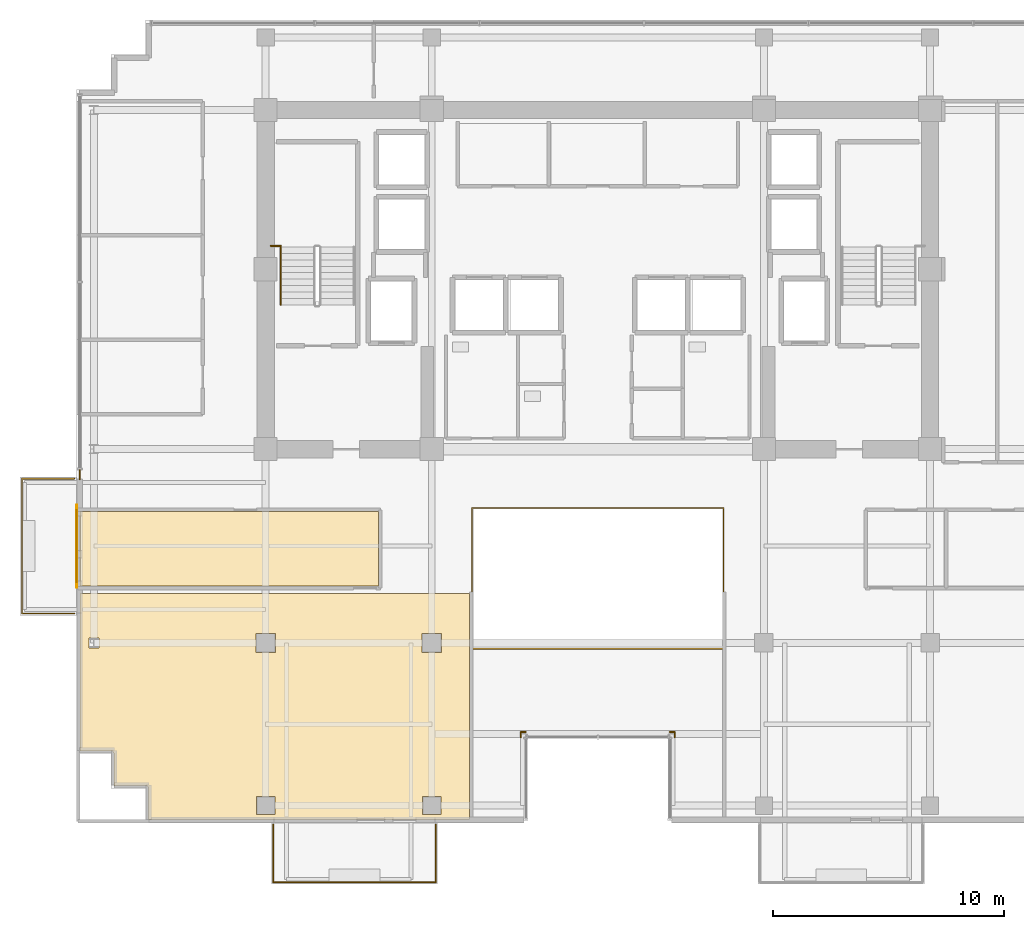
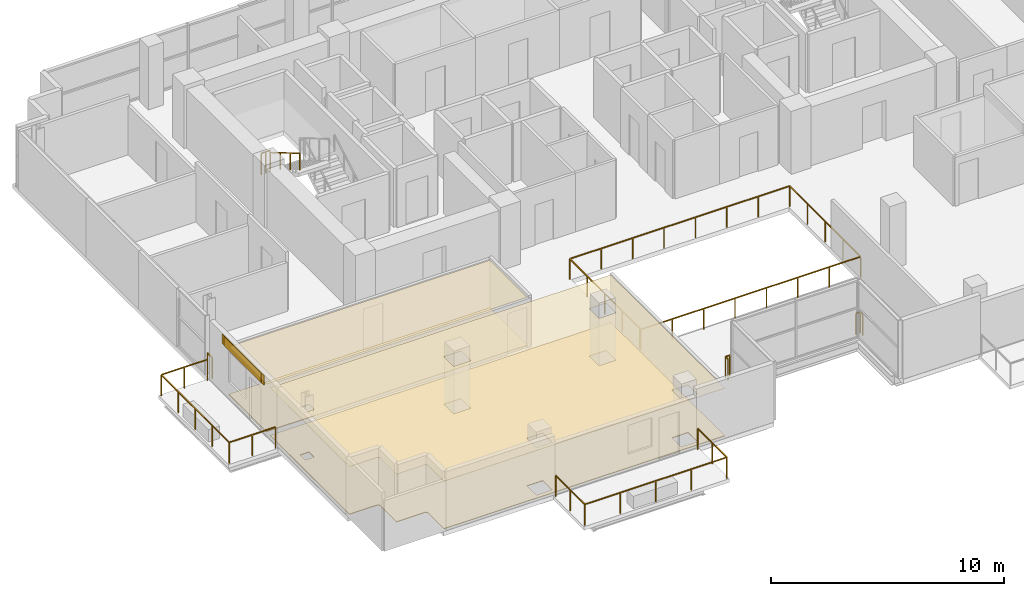
# One storey, part 19 of 22: 10 railings, 5 coverings, 1 shading device.
"""IFC4 building model written with IfcOpenShell, lengths in metres."""

from ifc_helpers import new_model, si_unit, direction, frame, origin, origin_2d, place, context, subcontext, project, spatial, polyline, rectangle, outline, extrude, source, transform, mapped, material, layer, layer_set, type_object, element, save


model = new_model("IFC4")

# Units and contexts
model_context = context("Model", 3, precision=1e-05, world=origin(), true_north=direction((0.0, 1.0)))
body_context = subcontext(model_context, "Body", "Model", "MODEL_VIEW")
ifc_project = project(units=[si_unit("LENGTHUNIT", "METRE"), si_unit("AREAUNIT", "SQUARE_METRE"), si_unit("VOLUMEUNIT", "CUBIC_METRE"), si_unit("PLANEANGLEUNIT", "RADIAN"), si_unit("MASSUNIT", "GRAM", prefix="KILO")], contexts=[model_context])

# Site, building, storey
site_placement = place(None, origin())
site = spatial("IfcSite", under=ifc_project, at=site_placement, CompositionType="ELEMENT")
building_placement = place(site_placement, origin())
building = spatial("IfcBuilding", under=site, at=building_placement, Name="Zarnakvel Exchange Tower", CompositionType="ELEMENT")
storey_placement = place(building_placement, frame((0.0, 0.0, 192.39990234375)))
storey = spatial("IfcBuildingStorey", under=building, at=storey_placement, Name="L54", CompositionType="ELEMENT", Elevation=192.39990234375)

# Coverings
ifc_material_1 = material(Name="Perforated Bronze Acoustic Metal Ceiling", Category="aluminium")
ifc_layer_1 = layer(ifc_material_1, 0.02001953125)
ifc_layer_set_1 = layer_set([ifc_layer_1], Name="Perforated Bronze Acoustic Metal Ceiling")
covering_type_1 = type_object("IfcCoveringType", Name="CLG-01", PredefinedType="CEILING", material=ifc_layer_set_1)
covering_1_placement = place(storey_placement, frame((0.0, 0.0, 2.505126953125)))
element("IfcCovering", 1, at=covering_1_placement, inside=storey, type_object=covering_type_1, Name="L54 Suspended Acoustic Ceiling (Sovereign Wealth Office)", PredefinedType="CEILING", context=body_context, shape_type="SweptSolid", body=[
    extrude(outline(polyline([(-22.449951171875, -3.909912109375), (-9.510009765625, -3.909912109375), (-9.510009765625, -7.139892578125), (-22.449951171875, -7.139892578125), (-22.449951171875, -3.909912109375)])), origin(), (0.0, 0.0, 1.0), 0.02001953125),
])
covering_2_placement = place(storey_placement, frame((0.0, 0.0, 2.505126953125)))
element("IfcCovering", 2, at=covering_2_placement, inside=storey, type_object=covering_type_1, Name="L54 Suspended Acoustic Ceiling (Sovereign Wealth Office)", PredefinedType="CEILING", context=body_context, shape_type="SweptSolid", body=[
    extrude(outline(polyline([(-5.56005859375, -7.4599609375), (-5.56005859375, -17.25), (-19.47998046875, -17.25), (-19.47998046875, -15.89990234375), (-19.48046875, -15.88818359375), (-19.482421875, -15.876708984375), (-19.485107421875, -15.865234375), (-19.489013671875, -15.85400390625), (-19.494140625, -15.843505859375), (-19.500244140625, -15.833251953125), (-19.50732421875, -15.823974609375), (-19.51513671875, -15.815185546875), (-19.52392578125, -15.80712890625), (-19.533447265625, -15.80029296875), (-19.54345703125, -15.794189453125), (-19.55419921875, -15.7890625), (-19.565185546875, -15.78515625), (-19.57666015625, -15.7822265625), (-19.588134765625, -15.780517578125), (-19.60009765625, -15.780029296875), (-20.97998046875, -15.780029296875), (-20.97998046875, -14.39990234375), (-20.98046875, -14.38818359375), (-20.982421875, -14.376708984375), (-20.985107421875, -14.365234375), (-20.989013671875, -14.35400390625), (-20.994140625, -14.343505859375), (-21.000244140625, -14.333251953125), (-21.00732421875, -14.323974609375), (-21.01513671875, -14.315185546875), (-21.02392578125, -14.30712890625), (-21.033447265625, -14.30029296875), (-21.04345703125, -14.294189453125), (-21.05419921875, -14.2890625), (-21.065185546875, -14.28515625), (-21.07666015625, -14.2822265625), (-21.088134765625, -14.280517578125), (-21.10009765625, -14.280029296875), (-22.449951171875, -14.280029296875), (-22.449951171875, -7.4599609375), (-5.56005859375, -7.4599609375)]), holes=[polyline([(-6.780029296875, -10.02001953125), (-6.780029296875, -9.179931640625), (-7.6201171875, -9.179931640625), (-7.6201171875, -10.02001953125), (-6.780029296875, -10.02001953125)]), polyline([(-6.804931640625, -17.044921875), (-6.804931640625, -16.2548828125), (-7.594970703125, -16.2548828125), (-7.594970703125, -17.044921875), (-6.804931640625, -17.044921875)]), polyline([(-13.97998046875, -10.02001953125), (-13.97998046875, -9.179931640625), (-14.820068359375, -9.179931640625), (-14.820068359375, -10.02001953125), (-13.97998046875, -10.02001953125)]), polyline([(-14.0048828125, -16.2548828125), (-14.794921875, -16.2548828125), (-14.794921875, -17.044921875), (-14.0048828125, -17.044921875), (-14.0048828125, -16.2548828125)]), polyline([(-21.630615234375, -9.81689453125), (-21.630615234375, -9.38330078125), (-22.069580078125, -9.38330078125), (-22.069580078125, -9.81689453125), (-21.630615234375, -9.81689453125)])]), origin(), (0.0, 0.0, 1.0), 0.02001953125),
])
ifc_material_2 = material(Name="Heavy-Duty Raised Access Floor Panel", Category="steel")
ifc_layer_2 = layer(ifc_material_2, 0.034912109375)
ifc_layer_set_2 = layer_set([ifc_layer_2], Name="Heavy-Duty Raised Access Floor Panel")
covering_type_2 = type_object("IfcCoveringType", Name="FLR-02", PredefinedType="FLOORING", material=ifc_layer_set_2)
covering_3_placement = place(storey_placement, origin())
element("IfcCovering", 3, at=covering_3_placement, inside=storey, type_object=covering_type_2, Name="L54 Floor Finish (Sovereign Wealth Office)", PredefinedType="FLOORING", context=body_context, shape_type="SweptSolid", body=[
    extrude(outline(polyline([(-22.449951171875, -3.909912109375), (-9.510009765625, -3.909912109375), (-9.510009765625, -7.139892578125), (-22.449951171875, -7.139892578125), (-22.449951171875, -3.909912109375)])), origin(), (0.0, 0.0, 1.0), 0.03515625),
])
covering_4_placement = place(storey_placement, origin())
element("IfcCovering", 4, at=covering_4_placement, inside=storey, type_object=covering_type_2, Name="L54 Floor Finish (Sovereign Wealth Office)", PredefinedType="FLOORING", context=body_context, shape_type="SweptSolid", body=[
    extrude(outline(polyline([(-5.56005859375, -7.4599609375), (-5.56005859375, -17.25), (-19.47998046875, -17.25), (-19.47998046875, -15.89990234375), (-19.48046875, -15.88818359375), (-19.482421875, -15.876708984375), (-19.485107421875, -15.865234375), (-19.489013671875, -15.85400390625), (-19.494140625, -15.843505859375), (-19.500244140625, -15.833251953125), (-19.50732421875, -15.823974609375), (-19.51513671875, -15.815185546875), (-19.52392578125, -15.80712890625), (-19.533447265625, -15.80029296875), (-19.54345703125, -15.794189453125), (-19.55419921875, -15.7890625), (-19.565185546875, -15.78515625), (-19.57666015625, -15.7822265625), (-19.588134765625, -15.780517578125), (-19.60009765625, -15.780029296875), (-20.97998046875, -15.780029296875), (-20.97998046875, -14.39990234375), (-20.98046875, -14.38818359375), (-20.982421875, -14.376708984375), (-20.985107421875, -14.365234375), (-20.989013671875, -14.35400390625), (-20.994140625, -14.343505859375), (-21.000244140625, -14.333251953125), (-21.00732421875, -14.323974609375), (-21.01513671875, -14.315185546875), (-21.02392578125, -14.30712890625), (-21.033447265625, -14.30029296875), (-21.04345703125, -14.294189453125), (-21.05419921875, -14.2890625), (-21.065185546875, -14.28515625), (-21.07666015625, -14.2822265625), (-21.088134765625, -14.280517578125), (-21.10009765625, -14.280029296875), (-22.449951171875, -14.280029296875), (-22.449951171875, -7.4599609375), (-5.56005859375, -7.4599609375)]), holes=[polyline([(-6.780029296875, -10.02001953125), (-6.780029296875, -9.179931640625), (-7.6201171875, -9.179931640625), (-7.6201171875, -10.02001953125), (-6.780029296875, -10.02001953125)]), polyline([(-6.804931640625, -17.044921875), (-6.804931640625, -16.2548828125), (-7.594970703125, -16.2548828125), (-7.594970703125, -17.044921875), (-6.804931640625, -17.044921875)]), polyline([(-13.97998046875, -10.02001953125), (-13.97998046875, -9.179931640625), (-14.820068359375, -9.179931640625), (-14.820068359375, -10.02001953125), (-13.97998046875, -10.02001953125)]), polyline([(-14.0048828125, -16.2548828125), (-14.794921875, -16.2548828125), (-14.794921875, -17.044921875), (-14.0048828125, -17.044921875), (-14.0048828125, -16.2548828125)]), polyline([(-21.630615234375, -9.81689453125), (-21.630615234375, -9.38330078125), (-22.069580078125, -9.38330078125), (-22.069580078125, -9.81689453125), (-21.630615234375, -9.81689453125)])]), origin(), (0.0, 0.0, 1.0), 0.03515625),
])

# Railings
ifc_material_3 = material(Name="Architectural Bronze Anodised Aluminium", Category="aluminium")
railing_type_1 = type_object("IfcRailingType", Name="GR-02", PredefinedType="GUARDRAIL", material=ifc_material_3)
railing_1_placement = place(storey_placement, frame((-14.070068359375, -17.47998046875, -0.034912109375)))
element("IfcRailing", 5, at=railing_1_placement, inside=storey, type_object=railing_type_1, Name="L54 Balcony Guardrail BAL-L54-SW", PredefinedType="GUARDRAIL", context=body_context, shape_type="SweptSolid", body=[
    extrude(rectangle(XDim=0.048095703125, YDim=0.048095703125, at=origin_2d()), frame((0.0, 0.0, 1.09619140625), z_axis=(0.0, -1.0, 0.0), x_axis=(1.0, 0.0, 0.0)), (0.0, 0.0, 1.0), 2.489990234375),
    extrude(rectangle(XDim=0.048095703125, YDim=0.048095703125, at=origin_2d()), frame((0.0, -2.489990234375, 1.09619140625), z_axis=(1.0, 0.0, 0.0), x_axis=(0.0, 1.0, 0.0)), (0.0, 0.0, 1.0), 7.0400390625),
    extrude(rectangle(XDim=0.048095703125, YDim=0.048095703125, at=origin_2d()), frame((7.0400390625, -2.489990234375, 1.09619140625), z_axis=(0.0, 1.0, 0.0), x_axis=(-1.0, 0.0, 0.0)), (0.0, 0.0, 1.0), 2.489990234375),
    extrude(rectangle(XDim=0.0419921875, YDim=0.0419921875, at=origin_2d()), origin(), (0.0, 0.0, 1.0), 1.072021484375),
    extrude(rectangle(XDim=0.0419921875, YDim=0.0419921875, at=origin_2d()), frame((0.0, -1.2451171875, 0.0)), (0.0, 0.0, 1.0), 1.072021484375),
    extrude(rectangle(XDim=0.0419921875, YDim=0.0419921875, at=origin_2d()), frame((0.0, -2.489990234375, 0.0)), (0.0, 0.0, 1.0), 1.072021484375),
    extrude(rectangle(XDim=0.0419921875, YDim=0.0419921875, at=origin_2d()), frame((1.760009765625, -2.489990234375, 0.0)), (0.0, 0.0, 1.0), 1.072021484375),
    extrude(rectangle(XDim=0.0419921875, YDim=0.0419921875, at=origin_2d()), frame((3.52001953125, -2.489990234375, 0.0)), (0.0, 0.0, 1.0), 1.072021484375),
    extrude(rectangle(XDim=0.0419921875, YDim=0.0419921875, at=origin_2d()), frame((5.280029296875, -2.489990234375, 0.0)), (0.0, 0.0, 1.0), 1.072021484375),
    extrude(rectangle(XDim=0.0419921875, YDim=0.0419921875, at=origin_2d()), frame((7.0400390625, -2.489990234375, 0.0)), (0.0, 0.0, 1.0), 1.072021484375),
    extrude(rectangle(XDim=0.0419921875, YDim=0.0419921875, at=origin_2d()), frame((7.0400390625, -1.2451171875, 0.0)), (0.0, 0.0, 1.0), 1.072021484375),
    extrude(rectangle(XDim=0.0419921875, YDim=0.0419921875, at=origin_2d()), frame((7.0400390625, 0.0, 0.0)), (0.0, 0.0, 1.0), 1.072021484375),
])
railing_2_placement = place(storey_placement, frame((-22.679931640625, -8.320068359375, -0.034912109375)))
element("IfcRailing", 6, at=railing_2_placement, inside=storey, type_object=railing_type_1, Name="L54 Balcony Guardrail BAL-L54-W", PredefinedType="GUARDRAIL", context=body_context, shape_type="SweptSolid", body=[
    extrude(rectangle(XDim=0.048095703125, YDim=0.048095703125, at=origin_2d()), frame((0.0, 0.0, 1.09619140625), z_axis=(-1.0, 0.0, 0.0), x_axis=(0.0, -1.0, 0.0)), (0.0, 0.0, 1.0), 2.2900390625),
    extrude(rectangle(XDim=0.048095703125, YDim=0.048095703125, at=origin_2d()), frame((-2.2900390625, 0.0, 1.09619140625), z_axis=(0.0, 1.0, 0.0), x_axis=(-1.0, 0.0, 0.0)), (0.0, 0.0, 1.0), 5.840087890625),
    extrude(rectangle(XDim=0.048095703125, YDim=0.048095703125, at=origin_2d()), frame((-2.2900390625, 5.840087890625, 1.09619140625), z_axis=(1.0, 0.0, 0.0), x_axis=(0.0, 1.0, 0.0)), (0.0, 0.0, 1.0), 2.2900390625),
    extrude(rectangle(XDim=0.0419921875, YDim=0.0419921875, at=origin_2d()), origin(), (0.0, 0.0, 1.0), 1.072021484375),
    extrude(rectangle(XDim=0.0419921875, YDim=0.0419921875, at=origin_2d()), frame((-1.14501953125, 0.0, 0.0)), (0.0, 0.0, 1.0), 1.072021484375),
    extrude(rectangle(XDim=0.0419921875, YDim=0.0419921875, at=origin_2d()), frame((-2.2900390625, 0.0, 0.0)), (0.0, 0.0, 1.0), 1.072021484375),
    extrude(rectangle(XDim=0.0419921875, YDim=0.0419921875, at=origin_2d()), frame((-2.2900390625, 1.4599609375, 0.0)), (0.0, 0.0, 1.0), 1.072021484375),
    extrude(rectangle(XDim=0.0419921875, YDim=0.0419921875, at=origin_2d()), frame((-2.2900390625, 2.919921875, 0.0)), (0.0, 0.0, 1.0), 1.072021484375),
    extrude(rectangle(XDim=0.0419921875, YDim=0.0419921875, at=origin_2d()), frame((-2.2900390625, 4.380126953125, 0.0)), (0.0, 0.0, 1.0), 1.072021484375),
    extrude(rectangle(XDim=0.0419921875, YDim=0.0419921875, at=origin_2d()), frame((-2.2900390625, 5.840087890625, 0.0)), (0.0, 0.0, 1.0), 1.072021484375),
    extrude(rectangle(XDim=0.0419921875, YDim=0.0419921875, at=origin_2d()), frame((-1.14501953125, 5.840087890625, 0.0)), (0.0, 0.0, 1.0), 1.072021484375),
    extrude(rectangle(XDim=0.0419921875, YDim=0.0419921875, at=origin_2d()), frame((0.0, 5.840087890625, 0.0)), (0.0, 0.0, 1.0), 1.072021484375),
])
railing_3_placement = place(storey_placement, frame((-22.4599609375, -2.5, 0.0)))
element("IfcRailing", 7, at=railing_3_placement, inside=storey, type_object=railing_type_1, Name="L54 Corner Spandrel Balustrade #2", PredefinedType="GUARDRAIL", context=body_context, shape_type="SweptSolid", body=[
    extrude(rectangle(XDim=0.048095703125, YDim=0.048095703125, at=origin_2d()), frame((0.0, 0.0, 1.09619140625), z_axis=(0.0, 1.0, 0.0), x_axis=(-1.0, 0.0, 0.0)), (0.0, 0.0, 1.0), 0.39990234375),
    extrude(rectangle(XDim=0.0419921875, YDim=0.0419921875, at=origin_2d()), origin(), (0.0, 0.0, 1.0), 1.072021484375),
    extrude(rectangle(XDim=0.0419921875, YDim=0.0419921875, at=origin_2d()), frame((0.0, 0.39990234375, 0.0)), (0.0, 0.0, 1.0), 1.072021484375),
])
railing_4_placement = place(storey_placement, frame((3.340087890625, -13.679931640625, 0.0)))
element("IfcRailing", 8, at=railing_4_placement, inside=storey, type_object=railing_type_1, Name="L54 Corner Spandrel Balustrade #17", PredefinedType="GUARDRAIL", context=body_context, shape_type="SweptSolid", body=[
    extrude(rectangle(XDim=0.048095703125, YDim=0.048095703125, at=origin_2d()), frame((0.0, 0.0, 1.09619140625), z_axis=(0.0, 1.0, 0.0), x_axis=(-1.0, 0.0, 0.0)), (0.0, 0.0, 1.0), 0.219970703125),
    extrude(rectangle(XDim=0.0419921875, YDim=0.0419921875, at=origin_2d()), origin(), (0.0, 0.0, 1.0), 1.072021484375),
    extrude(rectangle(XDim=0.0419921875, YDim=0.0419921875, at=origin_2d()), frame((0.0, 0.219970703125, 0.0)), (0.0, 0.0, 1.0), 1.072021484375),
])
for number, where, name in (
    (9, (3.340087890625, -13.4599609375, 0.0), "L54 Corner Spandrel Balustrade #18"),
    (10, (-3.1201171875, -13.4599609375, 0.0), "L54 Corner Spandrel Balustrade #19"),
):
    element("IfcRailing", number, at=place(storey_placement, frame(where)), inside=storey, type_object=railing_type_1, Name=name, PredefinedType="GUARDRAIL", context=body_context, shape_type="SweptSolid", body=[
        extrude(rectangle(XDim=0.048095703125, YDim=0.048095703125, at=origin_2d()), frame((0.0, 0.0, 1.09619140625), z_axis=(-1.0, 0.0, 0.0), x_axis=(0.0, -1.0, 0.0)), (0.0, 0.0, 1.0), 0.219970703125),
        extrude(rectangle(XDim=0.0419921875, YDim=0.0419921875, at=origin_2d()), origin(), (0.0, 0.0, 1.0), 1.072021484375),
        extrude(rectangle(XDim=0.0419921875, YDim=0.0419921875, at=origin_2d()), frame((-0.219970703125, 0.0, 0.0)), (0.0, 0.0, 1.0), 1.072021484375),
    ])
railing_5_placement = place(storey_placement, frame((-3.340087890625, -13.4599609375, 0.0)))
element("IfcRailing", 11, at=railing_5_placement, inside=storey, type_object=railing_type_1, Name="L54 Corner Spandrel Balustrade #20", PredefinedType="GUARDRAIL", context=body_context, shape_type="SweptSolid", body=[
    extrude(rectangle(XDim=0.048095703125, YDim=0.048095703125, at=origin_2d()), frame((0.0, 0.0, 1.09619140625), z_axis=(0.0, -1.0, 0.0), x_axis=(1.0, 0.0, 0.0)), (0.0, 0.0, 1.0), 0.219970703125),
    extrude(rectangle(XDim=0.0419921875, YDim=0.0419921875, at=origin_2d()), origin(), (0.0, 0.0, 1.0), 1.072021484375),
    extrude(rectangle(XDim=0.0419921875, YDim=0.0419921875, at=origin_2d()), frame((0.0, -0.219970703125, 0.0)), (0.0, 0.0, 1.0), 1.072021484375),
])
railing_type_2 = type_object("IfcRailingType", Name="GR-03", PredefinedType="GUARDRAIL", material=ifc_material_3)
railing_6_placement = place(storey_placement, frame((-5.449951171875, -9.85009765625, 0.0)))
element("IfcRailing", 12, at=railing_6_placement, inside=storey, type_object=railing_type_2, Name="L54 Atrium Void Perimeter Balustrade", PredefinedType="GUARDRAIL", context=body_context, shape_type="SweptSolid", body=[
    extrude(rectangle(XDim=0.048095703125, YDim=0.048095703125, at=origin_2d()), frame((0.0, 0.0, 1.076171875), z_axis=(1.0, 0.0, 0.0), x_axis=(0.0, 1.0, 0.0)), (0.0, 0.0, 1.0), 10.89990234375),
    extrude(rectangle(XDim=0.048095703125, YDim=0.048095703125, at=origin_2d()), frame((10.89990234375, 0.0, 1.076171875), z_axis=(0.0, 1.0, 0.0), x_axis=(-1.0, 0.0, 0.0)), (0.0, 0.0, 1.0), 6.10009765625),
    extrude(rectangle(XDim=0.048095703125, YDim=0.048095703125, at=origin_2d()), frame((10.89990234375, 6.10009765625, 1.076171875), z_axis=(-1.0, 0.0, 0.0), x_axis=(0.0, -1.0, 0.0)), (0.0, 0.0, 1.0), 10.89990234375),
    extrude(rectangle(XDim=0.048095703125, YDim=0.048095703125, at=origin_2d()), frame((0.0, 6.10009765625, 1.076171875), z_axis=(0.0, -1.0, 0.0), x_axis=(1.0, 0.0, 0.0)), (0.0, 0.0, 1.0), 6.02001953125),
    extrude(rectangle(XDim=0.0419921875, YDim=0.0419921875, at=origin_2d()), origin(), (0.0, 0.0, 1.0), 1.052001953125),
    extrude(rectangle(XDim=0.0419921875, YDim=0.0419921875, at=origin_2d()), frame((1.55712890625, 0.0, 0.0)), (0.0, 0.0, 1.0), 1.052001953125),
    extrude(rectangle(XDim=0.0419921875, YDim=0.0419921875, at=origin_2d()), frame((3.1142578125, 0.0, 0.0)), (0.0, 0.0, 1.0), 1.052001953125),
    extrude(rectangle(XDim=0.0419921875, YDim=0.0419921875, at=origin_2d()), frame((4.67138671875, 0.0, 0.0)), (0.0, 0.0, 1.0), 1.052001953125),
    extrude(rectangle(XDim=0.0419921875, YDim=0.0419921875, at=origin_2d()), frame((6.228515625, 0.0, 0.0)), (0.0, 0.0, 1.0), 1.052001953125),
    extrude(rectangle(XDim=0.0419921875, YDim=0.0419921875, at=origin_2d()), frame((7.78564453125, 0.0, 0.0)), (0.0, 0.0, 1.0), 1.052001953125),
    extrude(rectangle(XDim=0.0419921875, YDim=0.0419921875, at=origin_2d()), frame((9.3427734375, 0.0, 0.0)), (0.0, 0.0, 1.0), 1.052001953125),
    extrude(rectangle(XDim=0.0419921875, YDim=0.0419921875, at=origin_2d()), frame((10.89990234375, 0.0, 0.0)), (0.0, 0.0, 1.0), 1.052001953125),
    extrude(rectangle(XDim=0.0419921875, YDim=0.0419921875, at=origin_2d()), frame((10.89990234375, 1.52490234375, 0.0)), (0.0, 0.0, 1.0), 1.052001953125),
    extrude(rectangle(XDim=0.0419921875, YDim=0.0419921875, at=origin_2d()), frame((10.89990234375, 3.050048828125, 0.0)), (0.0, 0.0, 1.0), 1.052001953125),
    extrude(rectangle(XDim=0.0419921875, YDim=0.0419921875, at=origin_2d()), frame((10.89990234375, 4.5751953125, 0.0)), (0.0, 0.0, 1.0), 1.052001953125),
    extrude(rectangle(XDim=0.0419921875, YDim=0.0419921875, at=origin_2d()), frame((10.89990234375, 6.10009765625, 0.0)), (0.0, 0.0, 1.0), 1.052001953125),
    extrude(rectangle(XDim=0.0419921875, YDim=0.0419921875, at=origin_2d()), frame((9.3427734375, 6.10009765625, 0.0)), (0.0, 0.0, 1.0), 1.052001953125),
    extrude(rectangle(XDim=0.0419921875, YDim=0.0419921875, at=origin_2d()), frame((7.78564453125, 6.10009765625, 0.0)), (0.0, 0.0, 1.0), 1.052001953125),
    extrude(rectangle(XDim=0.0419921875, YDim=0.0419921875, at=origin_2d()), frame((6.228515625, 6.10009765625, 0.0)), (0.0, 0.0, 1.0), 1.052001953125),
    extrude(rectangle(XDim=0.0419921875, YDim=0.0419921875, at=origin_2d()), frame((4.67138671875, 6.10009765625, 0.0)), (0.0, 0.0, 1.0), 1.052001953125),
    extrude(rectangle(XDim=0.0419921875, YDim=0.0419921875, at=origin_2d()), frame((3.1142578125, 6.10009765625, 0.0)), (0.0, 0.0, 1.0), 1.052001953125),
    extrude(rectangle(XDim=0.0419921875, YDim=0.0419921875, at=origin_2d()), frame((1.55712890625, 6.10009765625, 0.0)), (0.0, 0.0, 1.0), 1.052001953125),
    extrude(rectangle(XDim=0.0419921875, YDim=0.0419921875, at=origin_2d()), frame((0.0, 6.10009765625, 0.0)), (0.0, 0.0, 1.0), 1.052001953125),
    extrude(rectangle(XDim=0.0419921875, YDim=0.0419921875, at=origin_2d()), frame((0.0, 4.59521484375, 0.0)), (0.0, 0.0, 1.0), 1.052001953125),
    extrude(rectangle(XDim=0.0419921875, YDim=0.0419921875, at=origin_2d()), frame((0.0, 3.090087890625, 0.0)), (0.0, 0.0, 1.0), 1.052001953125),
    extrude(rectangle(XDim=0.0419921875, YDim=0.0419921875, at=origin_2d()), frame((0.0, 1.5849609375, 0.0)), (0.0, 0.0, 1.0), 1.052001953125),
    extrude(rectangle(XDim=0.0419921875, YDim=0.0419921875, at=origin_2d()), frame((0.0, 0.080078125, 0.0)), (0.0, 0.0, 1.0), 1.052001953125),
])
ifc_material_4 = material(Name="Brushed Stainless Steel", Category="steel")
railing_type_3 = type_object("IfcRailingType", Name="HR-01", PredefinedType="HANDRAIL", material=ifc_material_4)
railing_7_placement = place(storey_placement, frame((-13.75, 7.570068359375, 1.815185546875)))
element("IfcRailing", 13, at=railing_7_placement, inside=storey, type_object=railing_type_3, Name="L54 ST-01 stair handrail 2", PredefinedType="HANDRAIL", context=body_context, shape_type="SweptSolid", body=[
    extrude(rectangle(XDim=0.048095703125, YDim=0.048095703125, at=origin_2d()), frame((0.0, 0.0, 0.8759765625), z_axis=(0.0, -0.861560626758, 0.507654692109), x_axis=(1.0, 0.0, 0.0)), (0.0, 0.0, 1.0), 2.925048828125),
    extrude(rectangle(XDim=0.0419921875, YDim=0.0419921875, at=origin_2d()), origin(), (0.0, 0.0, 1.0), 0.851806640625),
    extrude(rectangle(XDim=0.0419921875, YDim=0.0419921875, at=origin_2d()), frame((0.0, -0.840087890625, 0.494873046875)), (0.0, 0.0, 1.0), 0.851806640625),
    extrude(rectangle(XDim=0.0419921875, YDim=0.0419921875, at=origin_2d()), frame((0.0, -1.679931640625, 0.989990234375)), (0.0, 0.0, 1.0), 0.851806640625),
    extrude(rectangle(XDim=0.0419921875, YDim=0.0419921875, at=origin_2d()), frame((0.0, -2.52001953125, 1.48486328125)), (0.0, 0.0, 1.0), 0.851806640625),
])
railing_type_4 = type_object("IfcRailingType", Name="SG-01", PredefinedType="GUARDRAIL", material=ifc_material_3)
railing_8_placement = place(storey_placement, frame((-14.179931640625, 7.610107421875, 1.650146484375)))
element("IfcRailing", 14, at=railing_8_placement, inside=storey, type_object=railing_type_4, Name="L54 ST-01 Landing Slot Guardrail", PredefinedType="GUARDRAIL", context=body_context, shape_type="SweptSolid", body=[
    extrude(rectangle(XDim=0.048095703125, YDim=0.048095703125, at=origin_2d()), frame((0.0, 0.0, 1.1259765625), z_axis=(1.0, 0.0, 0.0), x_axis=(0.0, 1.0, 0.0)), (0.0, 0.0, 1.0), 0.429931640625),
    extrude(rectangle(XDim=0.0419921875, YDim=0.0419921875, at=origin_2d()), origin(), (0.0, 0.0, 1.0), 1.101806640625),
    extrude(rectangle(XDim=0.0419921875, YDim=0.0419921875, at=origin_2d()), frame((0.21484375, 0.0, 0.0)), (0.0, 0.0, 1.0), 1.101806640625),
    extrude(rectangle(XDim=0.0419921875, YDim=0.0419921875, at=origin_2d()), frame((0.429931640625, 0.0, 0.0)), (0.0, 0.0, 1.0), 1.101806640625),
])

# Shading device
ifc_material_5 = material(Name="Perforated Architectural Bronze Screen", Category="aluminium")
ifc_layer_3 = layer(ifc_material_5, 0.044921875)
ifc_layer_set_3 = layer_set([ifc_layer_3], Name="Perforated Architectural Bronze Screen")
shading_device_type = type_object("IfcShadingDeviceType", Name="SS-01", PredefinedType="JALOUSIE", material=ifc_layer_set_3)
shared_shape_1 = source(origin(), body_context, "Body", "SweptSolid", [
    extrude(rectangle(XDim=3.199951171875, YDim=0.044921875, at=origin_2d()), origin(), (0.0, 0.0, 1.0), 0.4951171875),
])
shading_device_placement = place(storey_placement, frame((-22.6005859375, -5.39990234375, 2.56005859375), z_axis=(0.0, 0.0, 1.0), x_axis=(0.0, 1.0, 0.0)))
element("IfcShadingDevice", 15, at=shading_device_placement, inside=storey, type_object=shading_device_type, Name="L54 Bronze Solar Shading Screen SS-01", PredefinedType="JALOUSIE", context=body_context, shape_type="MappedRepresentation", body=[
    mapped(shared_shape_1, transform((0.0, 0.0, 0.0), x_axis=(1.0, 0.0, 0.0), y_axis=(0.0, 1.0, 0.0), z_axis=(0.0, 0.0, 1.0), scale=1.0)),
])

# Covering
ifc_material_6 = material(Name="Glazed Turquoise Ceramic Architectural Tile", Category="ceramic")
ifc_layer_4 = layer(ifc_material_6, 0.028076171875)
ifc_layer_set_4 = layer_set([ifc_layer_4], Name="Glazed Turquoise Ceramic Architectural Tile")
covering_type_3 = type_object("IfcCoveringType", Name="CL-01", PredefinedType="CLADDING", material=ifc_layer_set_4)
shared_shape_2 = source(origin(), body_context, "Body", "SweptSolid", [
    extrude(rectangle(XDim=3.60009765625, YDim=0.028076171875, at=origin_2d()), origin(), (0.0, 0.0, 1.0), 0.4951171875),
])
covering_5_placement = place(storey_placement, frame((-22.592041015625, -5.39990234375, 2.56005859375), z_axis=(0.0, 0.0, 1.0), x_axis=(0.0, 1.0, 0.0)))
element("IfcCovering", 16, at=covering_5_placement, inside=storey, type_object=covering_type_3, Name="L54 Ceramic Spandrel Tilework CL-01", PredefinedType="CLADDING", context=body_context, shape_type="MappedRepresentation", body=[
    mapped(shared_shape_2, transform((0.0, 0.0, 0.0), x_axis=(1.0, 0.0, 0.0), y_axis=(0.0, 1.0, 0.0), z_axis=(0.0, 0.0, 1.0), scale=1.0)),
])

save(model, "model.ifc")
